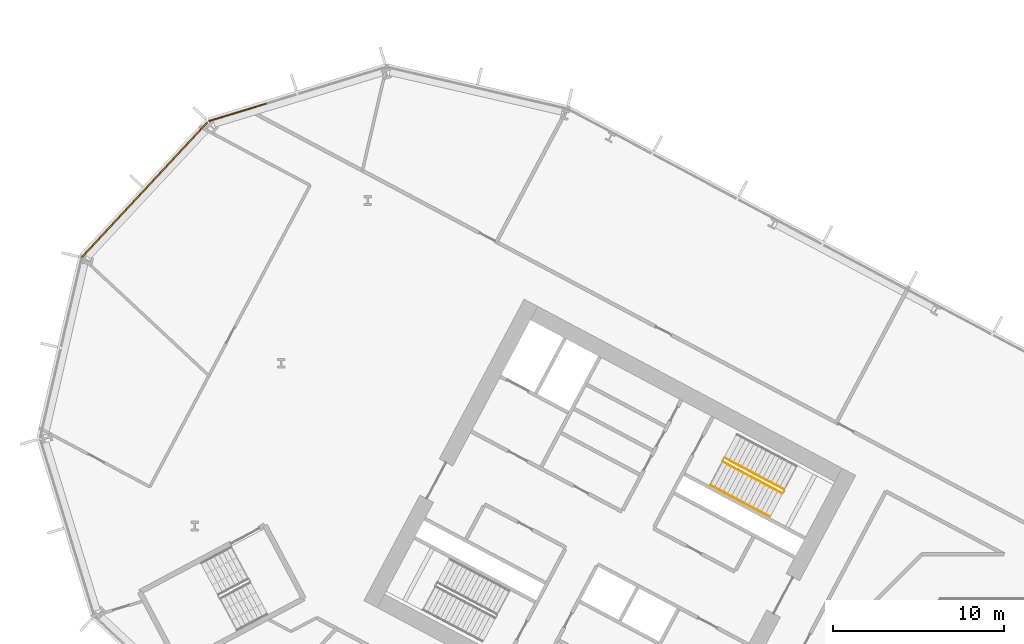
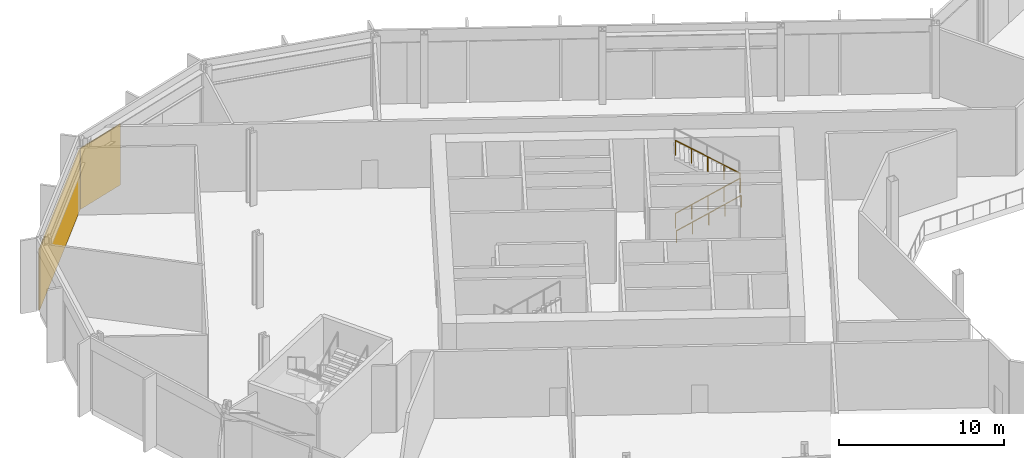
# One storey, part 24 of 32: 3 railings, 2 coverings, 2 elements without a shape of their own.
"""IFC4 building model written with IfcOpenShell, lengths in metres."""

from ifc_helpers import new_model, si_unit, direction, frame, origin, origin_2d, place, context, subcontext, project, spatial, polyline, rectangle, outline, extrude, material, layer, layer_set, type_object, element, aggregate, save


model = new_model("IFC4")

# Units and contexts
model_context = context("Model", 3, precision=1e-05, world=origin(), true_north=direction((0.0, 1.0)))
body_context = subcontext(model_context, "Body", "Model", "MODEL_VIEW")
ifc_project = project(units=[si_unit("LENGTHUNIT", "METRE"), si_unit("AREAUNIT", "SQUARE_METRE"), si_unit("VOLUMEUNIT", "CUBIC_METRE"), si_unit("PLANEANGLEUNIT", "RADIAN"), si_unit("MASSUNIT", "GRAM", prefix="KILO")], contexts=[model_context])

# Site, building, storey
site_placement = place(None, origin())
site = spatial("IfcSite", under=ifc_project, at=site_placement, CompositionType="ELEMENT")
building_placement = place(site_placement, origin())
building = spatial("IfcBuilding", under=site, at=building_placement, Name="Cormorant Relay Tower", CompositionType="ELEMENT")
storey_placement = place(building_placement, frame((0.0, 0.0, 28.39990234375)))
storey = spatial("IfcBuildingStorey", under=building, at=storey_placement, Name="L05", CompositionType="ELEMENT", Elevation=28.39990234375)

# Curtain wall, covering
ifc_material_1 = material(Name="Aluminium 6063-T6 anodised bronze", Category="aluminium")
ifc_layer_1 = layer(ifc_material_1, 0.235107421875)
ifc_layer_set_1 = layer_set([ifc_layer_1], Name="CW6 data hall curtain wall with mineral wool panels")
curtain_wall_type = type_object("IfcCurtainWallType", Name="CW6 data hall curtain wall with mineral wool panels", PredefinedType="NOTDEFINED", material=ifc_layer_set_1)
curtain_wall_1_placement = place(storey_placement, origin())
curtain_wall_1 = element("IfcCurtainWall", 1, at=curtain_wall_1_placement, inside=storey, type_object=curtain_wall_type, Name="CW6 curtain wall 9", PredefinedType="NOTDEFINED")
ifc_material_2 = material(Name="Mineral wool cored anodised bronze aluminium cassette panel", Category="aluminium")
ifc_layer_2 = layer(ifc_material_2, 0.074951171875)
ifc_layer_set_2 = layer_set([ifc_layer_2], Name="CW6 mineral wool cassette panel 75")
covering_type = type_object("IfcCoveringType", Name="CW6 mineral wool cassette panel 75", PredefinedType="CLADDING", material=ifc_layer_set_2)
covering_1_placement = place(storey_placement, frame((-49.169677734375, 39.491455078125, 0.0), z_axis=(0.0, 0.0, 1.0), x_axis=(-0.956304755963, -0.292371704723, 0.0)))
covering_1 = element("IfcCovering", 2, at=covering_1_placement, type_object=covering_type, Name="CW6 panel S03", PredefinedType="CLADDING", context=body_context, shape_type="SweptSolid", body=[
    extrude(rectangle(XDim=3.560302734375, YDim=0.074951171875, at=origin_2d()), origin(), (0.0, 0.0, 1.0), 4.5),
])
aggregate(curtain_wall_1, [covering_1])

curtain_wall_2_placement = place(storey_placement, origin())
curtain_wall_2 = element("IfcCurtainWall", 3, at=curtain_wall_2_placement, inside=storey, type_object=curtain_wall_type, Name="CW6 curtain wall 10", PredefinedType="NOTDEFINED")
covering_2_placement = place(storey_placement, frame((-54.62060546875, 34.958251953125, 0.0), z_axis=(0.0, 0.0, 1.0), x_axis=(-0.681998360062, -0.731353701619, 0.0)))
covering_2 = element("IfcCovering", 4, at=covering_2_placement, type_object=covering_type, Name="CW6 panel S00", PredefinedType="CLADDING", context=body_context, shape_type="SweptSolid", body=[
    extrude(rectangle(XDim=10.79541015625, YDim=0.074951171875, at=origin_2d()), origin(), (0.0, 0.0, 1.0), 4.5),
])
aggregate(curtain_wall_2, [covering_2])

# Railings
ifc_material_3 = material(Name="Steel ASTM A572 Grade 50 (Fy 345 MPa)", Category="steel")
railing_type_1 = type_object("IfcRailingType", Name="Stair guard 1100", PredefinedType="GUARDRAIL", material=ifc_material_3)
railing_1_placement = place(storey_placement, frame((-20.75048828125, 19.017822265625, 0.18017578125)))
element("IfcRailing", 5, at=railing_1_placement, inside=storey, type_object=railing_type_1, Name="L05 A1 stair guard 1", PredefinedType="GUARDRAIL", context=body_context, shape_type="SweptSolid", body=[
    extrude(outline(polyline([(0.022216796875, 0.00927734375), (0.00927734375, 0.022216796875), (-0.00927734375, 0.022216796875), (-0.022216796875, 0.00927734375), (-0.022216796875, -0.00927734375), (-0.00927734375, -0.022216796875), (0.00927734375, -0.022216796875), (0.022216796875, -0.00927734375), (0.022216796875, 0.00927734375)])), frame((0.0, 0.0, 1.076171875), z_axis=(0.74271721126, -0.394907409077, 0.540758062681), x_axis=(0.469469396681, 0.882948744594, 0.0)), (0.0, 0.0, 1.0), 4.66015625),
    extrude(outline(polyline([(0.019287109375, 0.008056640625), (0.008056640625, 0.019287109375), (-0.008056640625, 0.019287109375), (-0.019287109375, 0.008056640625), (-0.019287109375, -0.008056640625), (-0.008056640625, -0.019287109375), (0.008056640625, -0.019287109375), (0.019287109375, -0.008056640625), (0.019287109375, 0.008056640625)])), origin(), (0.0, 0.0, 1.0), 1.052001953125),
    extrude(outline(polyline([(0.019287109375, 0.008056640625), (0.008056640625, 0.019287109375), (-0.008056640625, 0.019287109375), (-0.019287109375, 0.008056640625), (-0.019287109375, -0.008056640625), (-0.008056640625, -0.019287109375), (0.008056640625, -0.019287109375), (0.019287109375, -0.008056640625), (0.019287109375, 0.008056640625)])), frame((0.865234375, -0.4599609375, 0.6298828125)), (0.0, 0.0, 1.0), 1.052001953125),
    extrude(outline(polyline([(0.019287109375, 0.008056640625), (0.008056640625, 0.019287109375), (-0.008056640625, 0.019287109375), (-0.019287109375, 0.008056640625), (-0.019287109375, -0.008056640625), (-0.008056640625, -0.019287109375), (0.008056640625, -0.019287109375), (0.019287109375, -0.008056640625), (0.019287109375, 0.008056640625)])), frame((1.73046875, -0.920166015625, 1.260009765625)), (0.0, 0.0, 1.0), 1.052001953125),
    extrude(outline(polyline([(0.019287109375, 0.008056640625), (0.008056640625, 0.019287109375), (-0.008056640625, 0.019287109375), (-0.019287109375, 0.008056640625), (-0.019287109375, -0.008056640625), (-0.008056640625, -0.019287109375), (0.008056640625, -0.019287109375), (0.019287109375, -0.008056640625), (0.019287109375, 0.008056640625)])), frame((2.595947265625, -1.38037109375, 1.89013671875)), (0.0, 0.0, 1.0), 1.052001953125),
    extrude(outline(polyline([(0.019287109375, 0.008056640625), (0.008056640625, 0.019287109375), (-0.008056640625, 0.019287109375), (-0.019287109375, 0.008056640625), (-0.019287109375, -0.008056640625), (-0.008056640625, -0.019287109375), (0.008056640625, -0.019287109375), (0.019287109375, -0.008056640625), (0.019287109375, 0.008056640625)])), frame((3.461181640625, -1.84033203125, 2.52001953125)), (0.0, 0.0, 1.0), 1.052001953125),
])
railing_2_placement = place(storey_placement, frame((-17.172119140625, 17.398193359375, 2.880126953125)))
element("IfcRailing", 6, at=railing_2_placement, inside=storey, type_object=railing_type_1, Name="L05 A1 stair guard 3", PredefinedType="GUARDRAIL", context=body_context, shape_type="SweptSolid", body=[
    extrude(outline(polyline([(0.022216796875, 0.00927734375), (0.00927734375, 0.022216796875), (-0.00927734375, 0.022216796875), (-0.022216796875, 0.00927734375), (-0.022216796875, -0.00927734375), (-0.00927734375, -0.022216796875), (0.00927734375, -0.022216796875), (0.022216796875, -0.00927734375), (0.022216796875, 0.00927734375)])), frame((0.0, 0.0, 1.076171875), z_axis=(-0.74271721126, 0.394907409077, 0.540758062681), x_axis=(-0.469469396681, -0.882948744594, 0.0)), (0.0, 0.0, 1.0), 4.66015625),
    extrude(outline(polyline([(0.019287109375, 0.008056640625), (0.008056640625, 0.019287109375), (-0.008056640625, 0.019287109375), (-0.019287109375, 0.008056640625), (-0.019287109375, -0.008056640625), (-0.008056640625, -0.019287109375), (0.008056640625, -0.019287109375), (0.019287109375, -0.008056640625), (0.019287109375, 0.008056640625)])), origin(), (0.0, 0.0, 1.0), 1.052001953125),
    extrude(outline(polyline([(0.019287109375, 0.008056640625), (0.008056640625, 0.019287109375), (-0.008056640625, 0.019287109375), (-0.019287109375, 0.008056640625), (-0.019287109375, -0.008056640625), (-0.008056640625, -0.019287109375), (0.008056640625, -0.019287109375), (0.019287109375, -0.008056640625), (0.019287109375, 0.008056640625)])), frame((-0.865234375, 0.4599609375, 0.6298828125)), (0.0, 0.0, 1.0), 1.052001953125),
    extrude(outline(polyline([(0.019287109375, 0.008056640625), (0.008056640625, 0.019287109375), (-0.008056640625, 0.019287109375), (-0.019287109375, 0.008056640625), (-0.019287109375, -0.008056640625), (-0.008056640625, -0.019287109375), (0.008056640625, -0.019287109375), (0.019287109375, -0.008056640625), (0.019287109375, 0.008056640625)])), frame((-1.73046875, 0.920166015625, 1.260009765625)), (0.0, 0.0, 1.0), 1.052001953125),
    extrude(outline(polyline([(0.019287109375, 0.008056640625), (0.008056640625, 0.019287109375), (-0.008056640625, 0.019287109375), (-0.019287109375, 0.008056640625), (-0.019287109375, -0.008056640625), (-0.008056640625, -0.019287109375), (0.008056640625, -0.019287109375), (0.019287109375, -0.008056640625), (0.019287109375, 0.008056640625)])), frame((-2.595947265625, 1.38037109375, 1.89013671875)), (0.0, 0.0, 1.0), 1.052001953125),
    extrude(outline(polyline([(0.019287109375, 0.008056640625), (0.008056640625, 0.019287109375), (-0.008056640625, 0.019287109375), (-0.019287109375, 0.008056640625), (-0.019287109375, -0.008056640625), (-0.008056640625, -0.019287109375), (0.008056640625, -0.019287109375), (0.019287109375, -0.008056640625), (0.019287109375, 0.008056640625)])), frame((-3.461181640625, 1.84033203125, 2.52001953125)), (0.0, 0.0, 1.0), 1.052001953125),
])
ifc_material_4 = material(Name="Steel ASTM A572 Grade 50 (Fy 345 MPa)", Category="steel")
railing_type_2 = type_object("IfcRailingType", Name="Stair handrail 900", PredefinedType="HANDRAIL", material=ifc_material_4)
railing_3_placement = place(storey_placement, frame((-21.478271484375, 17.6494140625, 0.18017578125)))
element("IfcRailing", 7, at=railing_3_placement, inside=storey, type_object=railing_type_2, Name="L05 A1 stair handrail 1", PredefinedType="HANDRAIL", context=body_context, shape_type="SweptSolid", body=[
    extrude(outline(polyline([(0.022216796875, 0.00927734375), (0.00927734375, 0.022216796875), (-0.00927734375, 0.022216796875), (-0.022216796875, 0.00927734375), (-0.022216796875, -0.00927734375), (-0.00927734375, -0.022216796875), (0.00927734375, -0.022216796875), (0.022216796875, -0.00927734375), (0.022216796875, 0.00927734375)])), frame((0.0, 0.0, 0.8759765625), z_axis=(0.74271721126, -0.394907409077, 0.540758062681), x_axis=(0.469469396681, 0.882948744594, 0.0)), (0.0, 0.0, 1.0), 4.66015625),
    extrude(outline(polyline([(0.019287109375, 0.008056640625), (0.008056640625, 0.019287109375), (-0.008056640625, 0.019287109375), (-0.019287109375, 0.008056640625), (-0.019287109375, -0.008056640625), (-0.008056640625, -0.019287109375), (0.008056640625, -0.019287109375), (0.019287109375, -0.008056640625), (0.019287109375, 0.008056640625)])), origin(), (0.0, 0.0, 1.0), 0.851806640625),
    extrude(outline(polyline([(0.019287109375, 0.008056640625), (0.008056640625, 0.019287109375), (-0.008056640625, 0.019287109375), (-0.019287109375, 0.008056640625), (-0.019287109375, -0.008056640625), (-0.008056640625, -0.019287109375), (0.008056640625, -0.019287109375), (0.019287109375, -0.008056640625), (0.019287109375, 0.008056640625)])), frame((0.865234375, -0.4599609375, 0.6298828125)), (0.0, 0.0, 1.0), 0.851806640625),
    extrude(outline(polyline([(0.019287109375, 0.008056640625), (0.008056640625, 0.019287109375), (-0.008056640625, 0.019287109375), (-0.019287109375, 0.008056640625), (-0.019287109375, -0.008056640625), (-0.008056640625, -0.019287109375), (0.008056640625, -0.019287109375), (0.019287109375, -0.008056640625), (0.019287109375, 0.008056640625)])), frame((1.73046875, -0.920166015625, 1.260009765625)), (0.0, 0.0, 1.0), 0.851806640625),
    extrude(outline(polyline([(0.019287109375, 0.008056640625), (0.008056640625, 0.019287109375), (-0.008056640625, 0.019287109375), (-0.019287109375, 0.008056640625), (-0.019287109375, -0.008056640625), (-0.008056640625, -0.019287109375), (0.008056640625, -0.019287109375), (0.019287109375, -0.008056640625), (0.019287109375, 0.008056640625)])), frame((2.595947265625, -1.38037109375, 1.89013671875)), (0.0, 0.0, 1.0), 0.851806640625),
    extrude(outline(polyline([(0.019287109375, 0.008056640625), (0.008056640625, 0.019287109375), (-0.008056640625, 0.019287109375), (-0.019287109375, 0.008056640625), (-0.019287109375, -0.008056640625), (-0.008056640625, -0.019287109375), (0.008056640625, -0.019287109375), (0.019287109375, -0.008056640625), (0.019287109375, 0.008056640625)])), frame((3.461181640625, -1.84033203125, 2.52001953125)), (0.0, 0.0, 1.0), 0.851806640625),
])

save(model, "model.ifc")
